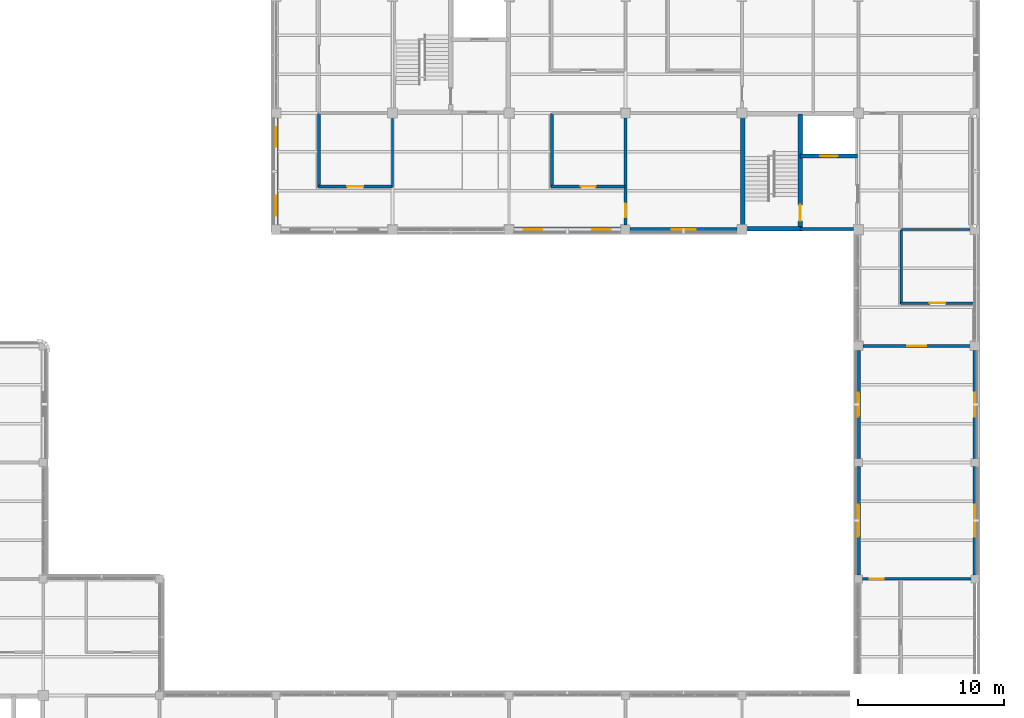
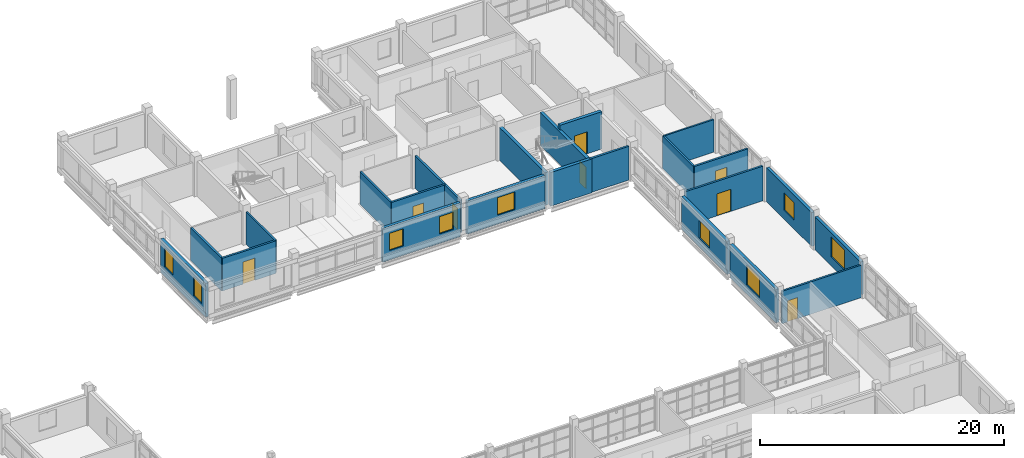
# One storey, part 73 of 92: 23 walls, 9 windows, 8 doors, 17 openings.
"""IFC4 building model written with IfcOpenShell, lengths in metres."""

from ifc_helpers import new_model, si_unit, derived_unit, direction, frame, frame_2d, origin, place, context, subcontext, project, spatial, rectangle, extrude, material, layer, layer_set, type_object, element, fill, save


model = new_model("IFC4")

# Units and contexts
model_context = context("Model", 3, precision=1e-05, world=origin(), true_north=direction((0.0, 1.0)))
body_context = subcontext(model_context, "Body", "Model", "MODEL_VIEW")
ifc_project = project(units=[si_unit("LENGTHUNIT", "METRE"), si_unit("AREAUNIT", "SQUARE_METRE"), si_unit("VOLUMEUNIT", "CUBIC_METRE"), si_unit("PLANEANGLEUNIT", "RADIAN"), si_unit("MASSUNIT", "GRAM", prefix="KILO"), derived_unit("THERMALTRANSMITTANCEUNIT", [(si_unit("MASSUNIT", "GRAM", prefix="KILO"), 1), (si_unit("TIMEUNIT", "SECOND"), -3), (si_unit("THERMODYNAMICTEMPERATUREUNIT", "KELVIN"), -1)])], contexts=[model_context])

# Site, building, storey
site_placement = place(None, origin())
site = spatial("IfcSite", under=ifc_project, at=site_placement, CompositionType="ELEMENT")
building_placement = place(site_placement, origin())
building = spatial("IfcBuilding", under=site, at=building_placement, Name="Veyamyaing Civic Hall", CompositionType="ELEMENT")
storey_placement = place(building_placement, frame((0.0, 0.0, 17.820068359375)))
storey = spatial("IfcBuildingStorey", under=building, at=storey_placement, Name="L04", CompositionType="ELEMENT", Elevation=17.820068359375)

# Wall, openings, windows
ifc_material_1 = material(Name="Precast concrete C40/50", Category="concrete")
ifc_layer_1 = layer(ifc_material_1, 0.280029296875, Name="Precast concrete C40/50")
ifc_layer_set_1 = layer_set([ifc_layer_1], Name="Precast concrete C40/50")
wall_type_1 = type_object("IfcWallType", Name="WT-04", PredefinedType="SOLIDWALL", material=ifc_layer_set_1)
wall_1_placement = place(storey_placement, frame((128.0, 88.31005859375, 0.0), z_axis=(0.0, 0.0, 1.0), x_axis=(0.0, 1.0, 0.0)))
wall_1 = element("IfcWall", 1, at=wall_1_placement, inside=storey, type_object=wall_type_1, Name="Exterior facade wall WT-04 L04 W 17.12", PredefinedType="SOLIDWALL", context=body_context, shape_type="SweptSolid", body=[
    extrude(rectangle(XDim=7.3798828125, YDim=0.280029296875, at=frame_2d((3.68994140625, 0.0))), origin(), (0.0, 0.0, 1.0), 3.376953125),
])
opening_1_placement = place(wall_1_placement, frame((0.6533203125, 0.0, 0.949951171875)))
opening_1 = element("IfcOpeningElement", 2, at=opening_1_placement, cuts=wall_1, Name="Opening W-13", PredefinedType="OPENING", context=body_context, shape_type="SweptSolid", body=[
    extrude(rectangle(XDim=1.35009765625, YDim=1.89990234375, at=frame_2d((0.675048828125, 0.949951171875))), frame((0.0, 0.14990234375, 0.0), z_axis=(0.0, -1.0, 0.0), x_axis=(1.0, 0.0, 0.0)), (0.0, 0.0, 1.0), 0.300048828125),
])
opening_2_placement = place(wall_1_placement, frame((5.376708984375, 0.0, 0.949951171875)))
opening_2 = element("IfcOpeningElement", 3, at=opening_2_placement, cuts=wall_1, Name="Opening W-13", PredefinedType="OPENING", context=body_context, shape_type="SweptSolid", body=[
    extrude(rectangle(XDim=1.35009765625, YDim=1.89990234375, at=frame_2d((0.675048828125, 0.949951171875))), frame((0.0, 0.14990234375, 0.0), z_axis=(0.0, -1.0, 0.0), x_axis=(1.0, 0.0, 0.0)), (0.0, 0.0, 1.0), 0.300048828125),
])
ifc_material_2 = material(Name="Low-E insulated glass", Category="glass")
window_type_1 = type_object("IfcWindowType", Name="W-13", PartitioningType="SINGLE_PANEL", PredefinedType="WINDOW", material=ifc_material_2)
window_1_placement = place(opening_1_placement, origin())
window_1 = element("IfcWindow", 4, at=window_1_placement, inside=storey, type_object=window_type_1, Name="Facade window W-13 L04 W 17.12.1", OverallHeight=1.89990234375, OverallWidth=1.35009765625, PartitioningType="SINGLE_PANEL", PredefinedType="WINDOW", context=body_context, shape_type="SweptSolid", body=[
    extrude(rectangle(XDim=1.35009765625, YDim=1.89990234375, at=frame_2d((0.675048828125, 0.949951171875))), frame((0.0, 0.030029296875, 0.0), z_axis=(0.0, -1.0, 0.0), x_axis=(1.0, 0.0, 0.0)), (0.0, 0.0, 1.0), 0.06005859375),
])
fill(opening_1, window_1)
window_2_placement = place(opening_2_placement, origin())
window_2 = element("IfcWindow", 5, at=window_2_placement, inside=storey, type_object=window_type_1, Name="Facade window W-13 L04 W 17.12.2", OverallHeight=1.89990234375, OverallWidth=1.35009765625, PartitioningType="SINGLE_PANEL", PredefinedType="WINDOW", context=body_context, shape_type="SweptSolid", body=[
    extrude(rectangle(XDim=1.35009765625, YDim=1.89990234375, at=frame_2d((0.675048828125, 0.949951171875))), frame((0.0, 0.030029296875, 0.0), z_axis=(0.0, -1.0, 0.0), x_axis=(1.0, 0.0, 0.0)), (0.0, 0.0, 1.0), 0.06005859375),
])
fill(opening_2, window_2)

wall_2_placement = place(storey_placement, frame((144.31005859375, 88.0, 0.0), z_axis=(0.0, 0.0, 1.0), x_axis=(1.0, 0.0, 0.0)))
wall_2 = element("IfcWall", 6, at=wall_2_placement, inside=storey, type_object=wall_type_1, Name="Exterior facade wall WT-04 L04 S 19.12", PredefinedType="SOLIDWALL", context=body_context, shape_type="SweptSolid", body=[
    extrude(rectangle(XDim=7.3798828125, YDim=0.280029296875, at=frame_2d((3.68994140625, 0.0))), origin(), (0.0, 0.0, 1.0), 3.3740234375),
])
opening_3_placement = place(wall_2_placement, frame((0.6884765625, 0.0, 0.949951171875)))
opening_3 = element("IfcOpeningElement", 7, at=opening_3_placement, cuts=wall_2, Name="Opening W-31", PredefinedType="OPENING", context=body_context, shape_type="SweptSolid", body=[
    extrude(rectangle(XDim=1.280029296875, YDim=1.719970703125, at=frame_2d((0.64013671875, 0.85986328125))), frame((0.0, 0.14990234375, 0.0), z_axis=(0.0, -1.0, 0.0), x_axis=(1.0, 0.0, 0.0)), (0.0, 0.0, 1.0), 0.300048828125),
])
opening_4_placement = place(wall_2_placement, frame((5.41162109375, 0.0, 0.949951171875)))
opening_4 = element("IfcOpeningElement", 8, at=opening_4_placement, cuts=wall_2, Name="Opening W-31", PredefinedType="OPENING", context=body_context, shape_type="SweptSolid", body=[
    extrude(rectangle(XDim=1.280029296875, YDim=1.719970703125, at=frame_2d((0.64013671875, 0.85986328125))), frame((0.0, 0.14990234375, 0.0), z_axis=(0.0, -1.0, 0.0), x_axis=(1.0, 0.0, 0.0)), (0.0, 0.0, 1.0), 0.300048828125),
])
window_type_2 = type_object("IfcWindowType", Name="W-31", PartitioningType="SINGLE_PANEL", PredefinedType="WINDOW", material=ifc_material_2)
window_3_placement = place(opening_3_placement, origin())
window_3 = element("IfcWindow", 9, at=window_3_placement, inside=storey, type_object=window_type_2, Name="Facade window W-31 L04 S 19.12.1", OverallHeight=1.719970703125, OverallWidth=1.280029296875, PartitioningType="SINGLE_PANEL", PredefinedType="WINDOW", context=body_context, shape_type="SweptSolid", body=[
    extrude(rectangle(XDim=1.280029296875, YDim=1.719970703125, at=frame_2d((0.64013671875, 0.85986328125))), frame((0.0, 0.030029296875, 0.0), z_axis=(0.0, -1.0, 0.0), x_axis=(1.0, 0.0, 0.0)), (0.0, 0.0, 1.0), 0.06005859375),
])
fill(opening_3, window_3)
window_4_placement = place(opening_4_placement, origin())
window_4 = element("IfcWindow", 10, at=window_4_placement, inside=storey, type_object=window_type_2, Name="Facade window W-31 L04 S 19.12.2", OverallHeight=1.719970703125, OverallWidth=1.280029296875, PartitioningType="SINGLE_PANEL", PredefinedType="WINDOW", context=body_context, shape_type="SweptSolid", body=[
    extrude(rectangle(XDim=1.280029296875, YDim=1.719970703125, at=frame_2d((0.64013671875, 0.85986328125))), frame((0.0, 0.030029296875, 0.0), z_axis=(0.0, -1.0, 0.0), x_axis=(1.0, 0.0, 0.0)), (0.0, 0.0, 1.0), 0.06005859375),
])
fill(opening_4, window_4)

# Wall, opening, window
wall_3_placement = place(storey_placement, frame((152.31005859375, 88.0, 0.0), z_axis=(0.0, 0.0, 1.0), x_axis=(1.0, 0.0, 0.0)))
wall_3 = element("IfcWall", 11, at=wall_3_placement, inside=storey, type_object=wall_type_1, Name="Exterior facade wall WT-04 L04 S 20.12", PredefinedType="SOLIDWALL", context=body_context, shape_type="SweptSolid", body=[
    extrude(rectangle(XDim=7.35498046875, YDim=0.280029296875, at=frame_2d((3.677490234375, 0.0))), origin(), (0.0, 0.0, 1.0), 3.31396484375),
])
opening_5_placement = place(wall_3_placement, frame((2.8525390625, 0.0, 0.89990234375)))
opening_5 = element("IfcOpeningElement", 12, at=opening_5_placement, cuts=wall_3, Name="Opening W-24", PredefinedType="OPENING", context=body_context, shape_type="SweptSolid", body=[
    extrude(rectangle(XDim=1.64990234375, YDim=1.75, at=frame_2d((0.824951171875, 0.875))), frame((0.0, 0.14990234375, 0.0), z_axis=(0.0, -1.0, 0.0), x_axis=(1.0, 0.0, 0.0)), (0.0, 0.0, 1.0), 0.300048828125),
])
window_type_3 = type_object("IfcWindowType", Name="W-24", PartitioningType="SINGLE_PANEL", PredefinedType="WINDOW", material=ifc_material_2)
window_5_placement = place(opening_5_placement, origin())
window_5 = element("IfcWindow", 13, at=window_5_placement, inside=storey, type_object=window_type_3, Name="Facade window W-24 L04 S 20.12", OverallHeight=1.75, OverallWidth=1.64990234375, PartitioningType="SINGLE_PANEL", PredefinedType="WINDOW", context=body_context, shape_type="SweptSolid", body=[
    extrude(rectangle(XDim=1.64990234375, YDim=1.75, at=frame_2d((0.824951171875, 0.875))), frame((0.0, 0.030029296875, 0.0), z_axis=(0.0, -1.0, 0.0), x_axis=(1.0, 0.0, 0.0)), (0.0, 0.0, 1.0), 0.06005859375),
])
fill(opening_5, window_5)

wall_4_placement = place(storey_placement, frame((168.0, 64.260009765625, 0.0), z_axis=(0.0, 0.0, 1.0), x_axis=(0.0, 1.0, 0.0)))
wall_4 = element("IfcWall", 14, at=wall_4_placement, inside=storey, type_object=wall_type_1, Name="Exterior facade wall WT-04 L04 W 22.9", PredefinedType="SOLIDWALL", context=body_context, shape_type="SweptSolid", body=[
    extrude(rectangle(XDim=7.47998046875, YDim=0.280029296875, at=frame_2d((3.739990234375, 0.0))), origin(), (0.0, 0.0, 1.0), 3.348876953125),
])
opening_6_placement = place(wall_4_placement, frame((2.639892578125, 0.0, 0.89990234375)))
opening_6 = element("IfcOpeningElement", 15, at=opening_6_placement, cuts=wall_4, Name="Opening W-08", PredefinedType="OPENING", context=body_context, shape_type="SweptSolid", body=[
    extrude(rectangle(XDim=2.199951171875, YDim=2.0, at=frame_2d((1.10009765625, 1.0))), frame((0.0, 0.14990234375, 0.0), z_axis=(0.0, -1.0, 0.0), x_axis=(1.0, 0.0, 0.0)), (0.0, 0.0, 1.0), 0.300048828125),
])
window_type_4 = type_object("IfcWindowType", Name="W-08", PartitioningType="SINGLE_PANEL", PredefinedType="WINDOW", material=ifc_material_2)
window_6_placement = place(opening_6_placement, origin())
window_6 = element("IfcWindow", 16, at=window_6_placement, inside=storey, type_object=window_type_4, Name="Facade window W-08 L04 W 22.9", OverallHeight=2.0, OverallWidth=2.199951171875, PartitioningType="SINGLE_PANEL", PredefinedType="WINDOW", context=body_context, shape_type="SweptSolid", body=[
    extrude(rectangle(XDim=2.199951171875, YDim=2.0, at=frame_2d((1.10009765625, 1.0))), frame((0.0, 0.030029296875, 0.0), z_axis=(0.0, -1.0, 0.0), x_axis=(1.0, 0.0, 0.0)), (0.0, 0.0, 1.0), 0.06005859375),
])
fill(opening_6, window_6)

wall_5_placement = place(storey_placement, frame((176.0, 64.260009765625, 0.0), z_axis=(0.0, 0.0, 1.0), x_axis=(0.0, 1.0, 0.0)))
wall_5 = element("IfcWall", 17, at=wall_5_placement, inside=storey, type_object=wall_type_1, Name="Exterior facade wall WT-04 L04 E 22.9", PredefinedType="SOLIDWALL", context=body_context, shape_type="SweptSolid", body=[
    extrude(rectangle(XDim=7.47998046875, YDim=0.280029296875, at=frame_2d((3.739990234375, 0.0))), origin(), (0.0, 0.0, 1.0), 3.288818359375),
])
opening_7_placement = place(wall_5_placement, frame((2.639892578125, 0.0, 0.89990234375)))
opening_7 = element("IfcOpeningElement", 18, at=opening_7_placement, cuts=wall_5, Name="Opening W-08", PredefinedType="OPENING", context=body_context, shape_type="SweptSolid", body=[
    extrude(rectangle(XDim=2.199951171875, YDim=2.0, at=frame_2d((1.10009765625, 1.0))), frame((0.0, 0.14990234375, 0.0), z_axis=(0.0, -1.0, 0.0), x_axis=(1.0, 0.0, 0.0)), (0.0, 0.0, 1.0), 0.300048828125),
])
window_7_placement = place(opening_7_placement, origin())
window_7 = element("IfcWindow", 19, at=window_7_placement, inside=storey, type_object=window_type_4, Name="Facade window W-08 L04 E 22.9", OverallHeight=2.0, OverallWidth=2.199951171875, PartitioningType="SINGLE_PANEL", PredefinedType="WINDOW", context=body_context, shape_type="SweptSolid", body=[
    extrude(rectangle(XDim=2.199951171875, YDim=2.0, at=frame_2d((1.10009765625, 1.0))), frame((0.0, 0.030029296875, 0.0), z_axis=(0.0, -1.0, 0.0), x_axis=(1.0, 0.0, 0.0)), (0.0, 0.0, 1.0), 0.06005859375),
])
fill(opening_7, window_7)

wall_6_placement = place(storey_placement, frame((168.0, 72.260009765625, 0.0), z_axis=(0.0, 0.0, 1.0), x_axis=(0.0, 1.0, 0.0)))
wall_6 = element("IfcWall", 20, at=wall_6_placement, inside=storey, type_object=wall_type_1, Name="Exterior facade wall WT-04 L04 W 22.10", PredefinedType="SOLIDWALL", context=body_context, shape_type="SweptSolid", body=[
    extrude(rectangle(XDim=7.429931640625, YDim=0.280029296875, at=frame_2d((3.71484375, 0.0))), origin(), (0.0, 0.0, 1.0), 3.308837890625),
])
opening_8_placement = place(wall_6_placement, frame((2.889892578125, 0.0, 0.89990234375)))
opening_8 = element("IfcOpeningElement", 21, at=opening_8_placement, cuts=wall_6, Name="Opening W-24", PredefinedType="OPENING", context=body_context, shape_type="SweptSolid", body=[
    extrude(rectangle(XDim=1.64990234375, YDim=1.75, at=frame_2d((0.824951171875, 0.875))), frame((0.0, 0.14990234375, 0.0), z_axis=(0.0, -1.0, 0.0), x_axis=(1.0, 0.0, 0.0)), (0.0, 0.0, 1.0), 0.300048828125),
])
window_8_placement = place(opening_8_placement, origin())
window_8 = element("IfcWindow", 22, at=window_8_placement, inside=storey, type_object=window_type_3, Name="Facade window W-24 L04 W 22.10", OverallHeight=1.75, OverallWidth=1.64990234375, PartitioningType="SINGLE_PANEL", PredefinedType="WINDOW", context=body_context, shape_type="SweptSolid", body=[
    extrude(rectangle(XDim=1.64990234375, YDim=1.75, at=frame_2d((0.824951171875, 0.875))), frame((0.0, 0.030029296875, 0.0), z_axis=(0.0, -1.0, 0.0), x_axis=(1.0, 0.0, 0.0)), (0.0, 0.0, 1.0), 0.06005859375),
])
fill(opening_8, window_8)

wall_7_placement = place(storey_placement, frame((176.0, 72.260009765625, 0.0), z_axis=(0.0, 0.0, 1.0), x_axis=(0.0, 1.0, 0.0)))
wall_7 = element("IfcWall", 23, at=wall_7_placement, inside=storey, type_object=wall_type_1, Name="Exterior facade wall WT-04 L04 E 22.10", PredefinedType="SOLIDWALL", context=body_context, shape_type="SweptSolid", body=[
    extrude(rectangle(XDim=7.429931640625, YDim=0.280029296875, at=frame_2d((3.71484375, 0.0))), origin(), (0.0, 0.0, 1.0), 3.371826171875),
])
opening_9_placement = place(wall_7_placement, frame((2.889892578125, 0.0, 0.89990234375)))
opening_9 = element("IfcOpeningElement", 24, at=opening_9_placement, cuts=wall_7, Name="Opening W-24", PredefinedType="OPENING", context=body_context, shape_type="SweptSolid", body=[
    extrude(rectangle(XDim=1.64990234375, YDim=1.75, at=frame_2d((0.824951171875, 0.875))), frame((0.0, 0.14990234375, 0.0), z_axis=(0.0, -1.0, 0.0), x_axis=(1.0, 0.0, 0.0)), (0.0, 0.0, 1.0), 0.300048828125),
])
window_9_placement = place(opening_9_placement, origin())
window_9 = element("IfcWindow", 25, at=window_9_placement, inside=storey, type_object=window_type_3, Name="Facade window W-24 L04 E 22.10", OverallHeight=1.75, OverallWidth=1.64990234375, PartitioningType="SINGLE_PANEL", PredefinedType="WINDOW", context=body_context, shape_type="SweptSolid", body=[
    extrude(rectangle(XDim=1.64990234375, YDim=1.75, at=frame_2d((0.824951171875, 0.875))), frame((0.0, 0.030029296875, 0.0), z_axis=(0.0, -1.0, 0.0), x_axis=(1.0, 0.0, 0.0)), (0.0, 0.0, 1.0), 0.06005859375),
])
fill(opening_9, window_9)

# Walls
ifc_material_3 = material(Name="Concrete C40/50", Category="concrete")
ifc_layer_2 = layer(ifc_material_3, 0.300048828125, Name="Concrete C40/50")
ifc_layer_set_2 = layer_set([ifc_layer_2], Name="Concrete C40/50")
wall_type_2 = type_object("IfcWallType", Name="WT-05", PredefinedType="SHEAR", material=ifc_layer_set_2)
wall_8_placement = place(storey_placement, frame((160.050048828125, 88.239990234375, 0.0), z_axis=(0.0, 0.0, 1.0), x_axis=(0.0, 1.0, 0.0)))
element("IfcWall", 26, at=wall_8_placement, inside=storey, type_object=wall_type_2, Name="Core shear wall WT-05 CORE-3 L04.W", PredefinedType="SHEAR", context=body_context, shape_type="SweptSolid", body=[
    extrude(rectangle(XDim=7.52001953125, YDim=0.300048828125, at=frame_2d((3.760009765625, 0.0))), origin(), (0.0, 0.0, 1.0), 3.262939453125),
])
wall_9_placement = place(storey_placement, frame((160.239990234375, 88.050048828125, 0.0), z_axis=(0.0, 0.0, 1.0), x_axis=(1.0, 0.0, 0.0)))
element("IfcWall", 27, at=wall_9_placement, inside=storey, type_object=wall_type_2, Name="Core shear wall WT-05 CORE-3 L04.SS", PredefinedType="SHEAR", context=body_context, shape_type="SweptSolid", body=[
    extrude(rectangle(XDim=3.909912109375, YDim=0.300048828125, at=frame_2d((1.955078125, 0.0))), origin(), (0.0, 0.0, 1.0), 3.369873046875),
])

# Wall, opening, door
wall_10_placement = place(storey_placement, frame((164.0, 88.050048828125, 0.0), z_axis=(0.0, 0.0, 1.0), x_axis=(0.0, 1.0, 0.0)))
wall_10 = element("IfcWall", 28, at=wall_10_placement, inside=storey, type_object=wall_type_2, Name="Core shear wall WT-05 CORE-3 L04.MID", PredefinedType="SHEAR", context=body_context, shape_type="SweptSolid", body=[
    extrude(rectangle(XDim=7.89990234375, YDim=0.300048828125, at=frame_2d((3.949951171875, 0.0))), origin(), (0.0, 0.0, 1.0), 3.2568359375),
])
opening_10_placement = place(wall_10_placement, frame((0.550048828125, 0.0, 0.0)))
opening_10 = element("IfcOpeningElement", 29, at=opening_10_placement, cuts=wall_10, Name="Opening D-03", PredefinedType="OPENING", context=body_context, shape_type="SweptSolid", body=[
    extrude(rectangle(XDim=1.10009765625, YDim=2.14990234375, at=frame_2d((0.550048828125, 1.074951171875))), frame((0.0, 0.159912109375, 0.0), z_axis=(0.0, -1.0, 0.0), x_axis=(1.0, 0.0, 0.0)), (0.0, 0.0, 1.0), 0.320068359375),
])
ifc_material_4 = material(Name="Galvanized steel S355J2", Category="steel")
door_type_1 = type_object("IfcDoorType", Name="D-03", OperationType="NOTDEFINED", PredefinedType="DOOR", material=ifc_material_4)
door_1_placement = place(opening_10_placement, origin())
door_1 = element("IfcDoor", 30, at=door_1_placement, inside=storey, type_object=door_type_1, Name="Exit stair fire door D-03 ST-03 L04", OperationType="SINGLE_SWING_RIGHT", OverallHeight=2.14990234375, OverallWidth=1.10009765625, PredefinedType="DOOR", context=body_context, shape_type="SweptSolid", body=[
    extrude(rectangle(XDim=1.10009765625, YDim=2.14990234375, at=frame_2d((0.550048828125, 1.074951171875))), frame((0.0, 0.02490234375, 0.0), z_axis=(0.0, -1.0, 0.0), x_axis=(1.0, 0.0, 0.0)), (0.0, 0.0, 1.0), 0.050048828125),
])
fill(opening_10, door_1)

wall_11_placement = place(storey_placement, frame((164.0, 93.050048828125, 0.0), z_axis=(0.0, 0.0, 1.0), x_axis=(1.0, 0.0, 0.0)))
wall_11 = element("IfcWall", 31, at=wall_11_placement, inside=storey, type_object=wall_type_2, Name="Core shear wall WT-05 CORE-3 L04.LFT", PredefinedType="SHEAR", context=body_context, shape_type="SweptSolid", body=[
    extrude(rectangle(XDim=3.949951171875, YDim=0.300048828125, at=frame_2d((1.97509765625, 0.0))), origin(), (0.0, 0.0, 1.0), 3.73486328125),
])
opening_11_placement = place(wall_11_placement, frame((1.375, 0.0, 0.0)))
opening_11 = element("IfcOpeningElement", 32, at=opening_11_placement, cuts=wall_11, Name="Opening LD-02", PredefinedType="OPENING", context=body_context, shape_type="SweptSolid", body=[
    extrude(rectangle(XDim=1.199951171875, YDim=2.199951171875, at=frame_2d((0.60009765625, 1.10009765625))), frame((0.0, 0.159912109375, 0.0), z_axis=(0.0, -1.0, 0.0), x_axis=(1.0, 0.0, 0.0)), (0.0, 0.0, 1.0), 0.320068359375),
])
door_type_2 = type_object("IfcDoorType", Name="LD-02", OperationType="SLIDING_TO_LEFT", PredefinedType="DOOR", material=ifc_material_4)
door_2_placement = place(opening_11_placement, origin())
door_2 = element("IfcDoor", 33, at=door_2_placement, inside=storey, type_object=door_type_2, Name="Lift sliding landing door LD-02 FL-02 L04", OperationType="SLIDING_TO_LEFT", OverallHeight=2.199951171875, OverallWidth=1.199951171875, PredefinedType="DOOR", context=body_context, shape_type="SweptSolid", body=[
    extrude(rectangle(XDim=1.199951171875, YDim=2.199951171875, at=frame_2d((0.60009765625, 1.10009765625))), frame((0.0, 0.02490234375, 0.0), z_axis=(0.0, -1.0, 0.0), x_axis=(1.0, 0.0, 0.0)), (0.0, 0.0, 1.0), 0.050048828125),
])
fill(opening_11, door_2)

# Wall
ifc_layer_3 = layer(ifc_material_3, 0.199951171875, Name="Concrete C40/50")
ifc_layer_set_3 = layer_set([ifc_layer_3], Name="Concrete C40/50")
wall_type_3 = type_object("IfcWallType", Name="WT-06", PredefinedType="PARTITIONING", material=ifc_layer_set_3)
wall_12_placement = place(storey_placement, frame((164.0, 88.050048828125, 0.0), z_axis=(0.0, 0.0, 1.0), x_axis=(1.0, 0.0, 0.0)))
element("IfcWall", 34, at=wall_12_placement, inside=storey, type_object=wall_type_3, Name="Firefighting lift lobby wall WT-06 CORE-3 L04", PredefinedType="PARTITIONING", context=body_context, shape_type="SweptSolid", body=[
    extrude(rectangle(XDim=3.659912109375, YDim=0.199951171875, at=frame_2d((1.830078125, 0.0))), origin(), (0.0, 0.0, 1.0), 3.369873046875),
])

# Wall, opening, door
ifc_material_5 = material(Name="Gypsum board on acoustic steel stud", Category="steel")
ifc_layer_4 = layer(ifc_material_5, 0.175048828125, Name="Gypsum board on acoustic steel stud")
ifc_layer_set_4 = layer_set([ifc_layer_4], Name="Gypsum board on acoustic steel stud")
wall_type_4 = type_object("IfcWallType", Name="WT-07", PredefinedType="PARTITIONING", material=ifc_layer_set_4)
wall_13_placement = place(storey_placement, frame((170.89990234375, 82.949951171875, 0.0), z_axis=(0.0, 0.0, 1.0), x_axis=(1.0, 0.0, 0.0)))
wall_13 = element("IfcWall", 35, at=wall_13_placement, inside=storey, type_object=wall_type_4, Name="Corridor gallery partition WT-07 L04.45.1", PredefinedType="PARTITIONING", context=body_context, shape_type="SweptSolid", body=[
    extrude(rectangle(XDim=5.080078125, YDim=0.175048828125, at=frame_2d((2.5400390625, 0.0))), origin(), (0.0, 0.0, 1.0), 3.2978515625),
])
opening_12_placement = place(wall_13_placement, frame((2.014892578125, 0.0, 0.0)))
opening_12 = element("IfcOpeningElement", 36, at=opening_12_placement, cuts=wall_13, Name="Opening D-12", PredefinedType="OPENING", context=body_context, shape_type="SweptSolid", body=[
    extrude(rectangle(XDim=1.050048828125, YDim=2.14990234375, at=frame_2d((0.52490234375, 1.074951171875))), frame((0.0, 0.097412109375, 0.0), z_axis=(0.0, -1.0, 0.0), x_axis=(1.0, 0.0, 0.0)), (0.0, 0.0, 1.0), 0.195068359375),
])
ifc_material_6 = material(Name="Teak-veneered acoustic timber", Category="wood")
door_type_3 = type_object("IfcDoorType", Name="D-12", OperationType="NOTDEFINED", PredefinedType="DOOR", material=ifc_material_6)
door_3_placement = place(opening_12_placement, origin())
door_3 = element("IfcDoor", 37, at=door_3_placement, inside=storey, type_object=door_type_3, Name="Gallery office door D-12 L04.45", OperationType="SINGLE_SWING_RIGHT", OverallHeight=2.14990234375, OverallWidth=1.050048828125, PredefinedType="DOOR", context=body_context, shape_type="SweptSolid", body=[
    extrude(rectangle(XDim=1.050048828125, YDim=2.14990234375, at=frame_2d((0.52490234375, 1.074951171875))), frame((0.0, 0.02490234375, 0.0), z_axis=(0.0, -1.0, 0.0), x_axis=(1.0, 0.0, 0.0)), (0.0, 0.0, 1.0), 0.050048828125),
])
fill(opening_12, door_3)

# Wall
wall_14_placement = place(storey_placement, frame((170.949951171875, 82.89990234375, 0.0), z_axis=(0.0, 0.0, 1.0), x_axis=(0.0, 1.0, 0.0)))
element("IfcWall", 38, at=wall_14_placement, inside=storey, type_object=wall_type_4, Name="Corridor gallery partition WT-07 L04.45.2", PredefinedType="PARTITIONING", context=body_context, shape_type="SweptSolid", body=[
    extrude(rectangle(XDim=5.080078125, YDim=0.175048828125, at=frame_2d((2.5400390625, 0.0))), origin(), (0.0, 0.0, 1.0), 3.251953125),
])

# Wall, opening, door
wall_15_placement = place(storey_placement, frame((168.264892578125, 64.0, 0.0), z_axis=(0.0, 0.0, 1.0), x_axis=(1.0, 0.0, 0.0)))
wall_15 = element("IfcWall", 39, at=wall_15_placement, inside=storey, type_object=wall_type_4, Name="Interior partition wall WT-07 L04.27", PredefinedType="PARTITIONING", context=body_context, shape_type="SweptSolid", body=[
    extrude(rectangle(XDim=7.47021484375, YDim=0.175048828125, at=frame_2d((3.735107421875, 0.0))), origin(), (0.0, 0.0, 1.0), 3.238037109375),
])
opening_13_placement = place(wall_15_placement, frame((0.52001953125, 0.0, 0.0)))
opening_13 = element("IfcOpeningElement", 40, at=opening_13_placement, cuts=wall_15, Name="Opening D-30", PredefinedType="OPENING", context=body_context, shape_type="SweptSolid", body=[
    extrude(rectangle(XDim=0.93994140625, YDim=2.1201171875, at=frame_2d((0.469970703125, 1.06005859375))), frame((0.0, 0.097412109375, 0.0), z_axis=(0.0, -1.0, 0.0), x_axis=(1.0, 0.0, 0.0)), (0.0, 0.0, 1.0), 0.195068359375),
])
door_type_4 = type_object("IfcDoorType", Name="D-30", OperationType="NOTDEFINED", PredefinedType="DOOR", material=ifc_material_6)
door_4_placement = place(opening_13_placement, origin())
door_4 = element("IfcDoor", 41, at=door_4_placement, inside=storey, type_object=door_type_4, Name="Interior door D-30 L04.27", OperationType="SINGLE_SWING_RIGHT", OverallHeight=2.1201171875, OverallWidth=0.93994140625, PredefinedType="DOOR", context=body_context, shape_type="SweptSolid", body=[
    extrude(rectangle(XDim=0.93994140625, YDim=2.1201171875, at=frame_2d((0.469970703125, 1.06005859375))), frame((0.0, 0.02490234375, 0.0), z_axis=(0.0, -1.0, 0.0), x_axis=(1.0, 0.0, 0.0)), (0.0, 0.0, 1.0), 0.050048828125),
])
fill(opening_13, door_4)

# Walls
ifc_material_7 = material(Name="Gypsum board on steel stud", Category="steel")
ifc_layer_5 = layer(ifc_material_7, 0.14990234375, Name="Gypsum board on steel stud")
ifc_layer_set_5 = layer_set([ifc_layer_5], Name="Gypsum board on steel stud")
wall_type_5 = type_object("IfcWallType", Name="WT-08", PredefinedType="PARTITIONING", material=ifc_layer_set_5)
wall_16_placement = place(storey_placement, frame((136.0, 90.949951171875, 0.0), z_axis=(0.0, 0.0, 1.0), x_axis=(0.0, 1.0, 0.0)))
element("IfcWall", 42, at=wall_16_placement, inside=storey, type_object=wall_type_5, Name="Gallery office end partition WT-08 L04.32.2", PredefinedType="PARTITIONING", context=body_context, shape_type="SweptSolid", body=[
    extrude(rectangle(XDim=4.68994140625, YDim=0.14990234375, at=frame_2d((2.344970703125, 0.0))), origin(), (0.0, 0.0, 1.0), 3.262939453125),
])
wall_17_placement = place(storey_placement, frame((170.949951171875, 88.0, 0.0), z_axis=(0.0, 0.0, 1.0), x_axis=(1.0, 0.0, 0.0)))
element("IfcWall", 43, at=wall_17_placement, inside=storey, type_object=wall_type_5, Name="Gallery office end partition WT-08 L04.45.1", PredefinedType="PARTITIONING", context=body_context, shape_type="SweptSolid", body=[
    extrude(rectangle(XDim=4.715087890625, YDim=0.14990234375, at=frame_2d((2.357421875, 0.0))), origin(), (0.0, 0.0, 1.0), 3.251953125),
])

# Wall, opening, door
ifc_material_8 = material(Name="Gypsum board on double acoustic stud")
ifc_layer_6 = layer(ifc_material_8, 0.18505859375, Name="Gypsum board on double acoustic stud")
ifc_layer_set_6 = layer_set([ifc_layer_6], Name="Gypsum board on double acoustic stud")
wall_type_6 = type_object("IfcWallType", Name="WT-19", PredefinedType="PARTITIONING", material=ifc_layer_set_6)
wall_18_placement = place(storey_placement, frame((130.89990234375, 90.949951171875, 0.0), z_axis=(0.0, 0.0, 1.0), x_axis=(1.0, 0.0, 0.0)))
wall_18 = element("IfcWall", 44, at=wall_18_placement, inside=storey, type_object=wall_type_6, Name="Corridor gallery partition WT-19 L04.32.1", PredefinedType="PARTITIONING", context=body_context, shape_type="SweptSolid", body=[
    extrude(rectangle(XDim=5.080078125, YDim=0.18505859375, at=frame_2d((2.5400390625, 0.0))), origin(), (0.0, 0.0, 1.0), 3.262939453125),
])
opening_14_placement = place(wall_18_placement, frame((1.97998046875, 0.0, 0.0)))
opening_14 = element("IfcOpeningElement", 45, at=opening_14_placement, cuts=wall_18, Name="Opening D-26", PredefinedType="OPENING", context=body_context, shape_type="SweptSolid", body=[
    extrude(rectangle(XDim=1.1201171875, YDim=2.219970703125, at=frame_2d((0.56005859375, 1.10986328125))), frame((0.0, 0.1025390625, 0.0), z_axis=(0.0, -1.0, 0.0), x_axis=(1.0, 0.0, 0.0)), (0.0, 0.0, 1.0), 0.205078125),
])
door_type_5 = type_object("IfcDoorType", Name="D-26", OperationType="NOTDEFINED", PredefinedType="DOOR", material=ifc_material_6)
door_5_placement = place(opening_14_placement, origin())
door_5 = element("IfcDoor", 46, at=door_5_placement, inside=storey, type_object=door_type_5, Name="Gallery office door D-26 L04.32", OperationType="SINGLE_SWING_LEFT", OverallHeight=2.219970703125, OverallWidth=1.1201171875, PredefinedType="DOOR", context=body_context, shape_type="SweptSolid", body=[
    extrude(rectangle(XDim=1.1201171875, YDim=2.219970703125, at=frame_2d((0.56005859375, 1.10986328125))), frame((0.0, 0.02490234375, 0.0), z_axis=(0.0, -1.0, 0.0), x_axis=(1.0, 0.0, 0.0)), (0.0, 0.0, 1.0), 0.050048828125),
])
fill(opening_14, door_5)

# Wall
wall_19_placement = place(storey_placement, frame((130.949951171875, 90.89990234375, 0.0), z_axis=(0.0, 0.0, 1.0), x_axis=(0.0, 1.0, 0.0)))
element("IfcWall", 47, at=wall_19_placement, inside=storey, type_object=wall_type_6, Name="Corridor gallery partition WT-19 L04.32.2", PredefinedType="PARTITIONING", context=body_context, shape_type="SweptSolid", body=[
    extrude(rectangle(XDim=5.080078125, YDim=0.18505859375, at=frame_2d((2.5400390625, 0.0))), origin(), (0.0, 0.0, 1.0), 3.2568359375),
])

# Wall, opening, door
wall_20_placement = place(storey_placement, frame((146.89990234375, 90.949951171875, 0.0), z_axis=(0.0, 0.0, 1.0), x_axis=(1.0, 0.0, 0.0)))
wall_20 = element("IfcWall", 48, at=wall_20_placement, inside=storey, type_object=wall_type_6, Name="Corridor gallery partition WT-19 L04.36.1", PredefinedType="PARTITIONING", context=body_context, shape_type="SweptSolid", body=[
    extrude(rectangle(XDim=5.080078125, YDim=0.18505859375, at=frame_2d((2.5400390625, 0.0))), origin(), (0.0, 0.0, 1.0), 3.2568359375),
])
opening_15_placement = place(wall_20_placement, frame((2.0400390625, 0.0, 0.0)))
opening_15 = element("IfcOpeningElement", 49, at=opening_15_placement, cuts=wall_20, Name="Opening D-13", PredefinedType="OPENING", context=body_context, shape_type="SweptSolid", body=[
    extrude(rectangle(XDim=1.0, YDim=2.14990234375, at=frame_2d((0.5, 1.074951171875))), frame((0.0, 0.1025390625, 0.0), z_axis=(0.0, -1.0, 0.0), x_axis=(1.0, 0.0, 0.0)), (0.0, 0.0, 1.0), 0.205078125),
])
door_type_6 = type_object("IfcDoorType", Name="D-13", OperationType="NOTDEFINED", PredefinedType="DOOR", material=ifc_material_6)
door_6_placement = place(opening_15_placement, origin())
door_6 = element("IfcDoor", 50, at=door_6_placement, inside=storey, type_object=door_type_6, Name="Gallery office door D-13 L04.36", OperationType="SINGLE_SWING_LEFT", OverallHeight=2.14990234375, OverallWidth=1.0, PredefinedType="DOOR", context=body_context, shape_type="SweptSolid", body=[
    extrude(rectangle(XDim=1.0, YDim=2.14990234375, at=frame_2d((0.5, 1.074951171875))), frame((0.0, 0.02490234375, 0.0), z_axis=(0.0, -1.0, 0.0), x_axis=(1.0, 0.0, 0.0)), (0.0, 0.0, 1.0), 0.050048828125),
])
fill(opening_15, door_6)

# Wall
wall_21_placement = place(storey_placement, frame((146.949951171875, 90.89990234375, 0.0), z_axis=(0.0, 0.0, 1.0), x_axis=(0.0, 1.0, 0.0)))
element("IfcWall", 51, at=wall_21_placement, inside=storey, type_object=wall_type_6, Name="Corridor gallery partition WT-19 L04.36.2", PredefinedType="PARTITIONING", context=body_context, shape_type="SweptSolid", body=[
    extrude(rectangle(XDim=5.080078125, YDim=0.18505859375, at=frame_2d((2.5400390625, 0.0))), origin(), (0.0, 0.0, 1.0), 3.2509765625),
])

# Wall, opening, door
wall_22_placement = place(storey_placement, frame((152.0, 88.31494140625, 0.0), z_axis=(0.0, 0.0, 1.0), x_axis=(0.0, 1.0, 0.0)))
wall_22 = element("IfcWall", 52, at=wall_22_placement, inside=storey, type_object=wall_type_6, Name="Interior partition wall WT-19 L04.20", PredefinedType="PARTITIONING", context=body_context, shape_type="SweptSolid", body=[
    extrude(rectangle(XDim=7.3701171875, YDim=0.18505859375, at=frame_2d((3.68505859375, 0.0))), origin(), (0.0, 0.0, 1.0), 3.2568359375),
])
opening_16_placement = place(wall_22_placement, frame((0.52001953125, 0.0, 0.0)))
opening_16 = element("IfcOpeningElement", 53, at=opening_16_placement, cuts=wall_22, Name="Opening D-30", PredefinedType="OPENING", context=body_context, shape_type="SweptSolid", body=[
    extrude(rectangle(XDim=0.93994140625, YDim=2.1201171875, at=frame_2d((0.469970703125, 1.06005859375))), frame((0.0, 0.1025390625, 0.0), z_axis=(0.0, -1.0, 0.0), x_axis=(1.0, 0.0, 0.0)), (0.0, 0.0, 1.0), 0.205078125),
])
door_7_placement = place(opening_16_placement, frame((0.93994140625, 0.0, 0.0), z_axis=(0.0, 0.0, 1.0), x_axis=(-1.0, 0.0, 0.0)))
door_7 = element("IfcDoor", 54, at=door_7_placement, inside=storey, type_object=door_type_4, Name="Interior door D-30 L04.20", OperationType="SINGLE_SWING_RIGHT", OverallHeight=2.1201171875, OverallWidth=0.93994140625, PredefinedType="DOOR", context=body_context, shape_type="SweptSolid", body=[
    extrude(rectangle(XDim=0.93994140625, YDim=2.1201171875, at=frame_2d((0.469970703125, 1.06005859375))), frame((0.0, 0.02490234375, 0.0), z_axis=(0.0, -1.0, 0.0), x_axis=(1.0, 0.0, 0.0)), (0.0, 0.0, 1.0), 0.050048828125),
])
fill(opening_16, door_7)

wall_23_placement = place(storey_placement, frame((168.31494140625, 80.0, 0.0), z_axis=(0.0, 0.0, 1.0), x_axis=(1.0, 0.0, 0.0)))
wall_23 = element("IfcWall", 55, at=wall_23_placement, inside=storey, type_object=wall_type_6, Name="Interior partition wall WT-19 L04.28", PredefinedType="PARTITIONING", context=body_context, shape_type="SweptSolid", body=[
    extrude(rectangle(XDim=7.3701171875, YDim=0.18505859375, at=frame_2d((3.68505859375, 0.0))), origin(), (0.0, 0.0, 1.0), 3.45703125),
])
opening_17_placement = place(wall_23_placement, frame((3.034912109375, 0.0, 0.0)))
opening_17 = element("IfcOpeningElement", 56, at=opening_17_placement, cuts=wall_23, Name="Opening D-18", PredefinedType="OPENING", context=body_context, shape_type="SweptSolid", body=[
    extrude(rectangle(XDim=1.300048828125, YDim=2.199951171875, at=frame_2d((0.64990234375, 1.10009765625))), frame((0.0, 0.1025390625, 0.0), z_axis=(0.0, -1.0, 0.0), x_axis=(1.0, 0.0, 0.0)), (0.0, 0.0, 1.0), 0.205078125),
])
ifc_material_9 = material(Name="Anodised aluminium 6063-T6", Category="aluminium")
door_type_7 = type_object("IfcDoorType", Name="D-18", OperationType="DOUBLE_DOOR_SINGLE_SWING", PredefinedType="DOOR", material=ifc_material_9)
door_8_placement = place(opening_17_placement, frame((1.300048828125, 0.0, 0.0), z_axis=(0.0, 0.0, 1.0), x_axis=(-1.0, 0.0, 0.0)))
door_8 = element("IfcDoor", 57, at=door_8_placement, inside=storey, type_object=door_type_7, Name="Interior door D-18 L04.28", OperationType="DOUBLE_DOOR_SINGLE_SWING", OverallHeight=2.199951171875, OverallWidth=1.300048828125, PredefinedType="DOOR", context=body_context, shape_type="SweptSolid", body=[
    extrude(rectangle(XDim=1.300048828125, YDim=2.199951171875, at=frame_2d((0.64990234375, 1.10009765625))), frame((0.0, 0.02490234375, 0.0), z_axis=(0.0, -1.0, 0.0), x_axis=(1.0, 0.0, 0.0)), (0.0, 0.0, 1.0), 0.050048828125),
])
fill(opening_17, door_8)

save(model, "model.ifc")
